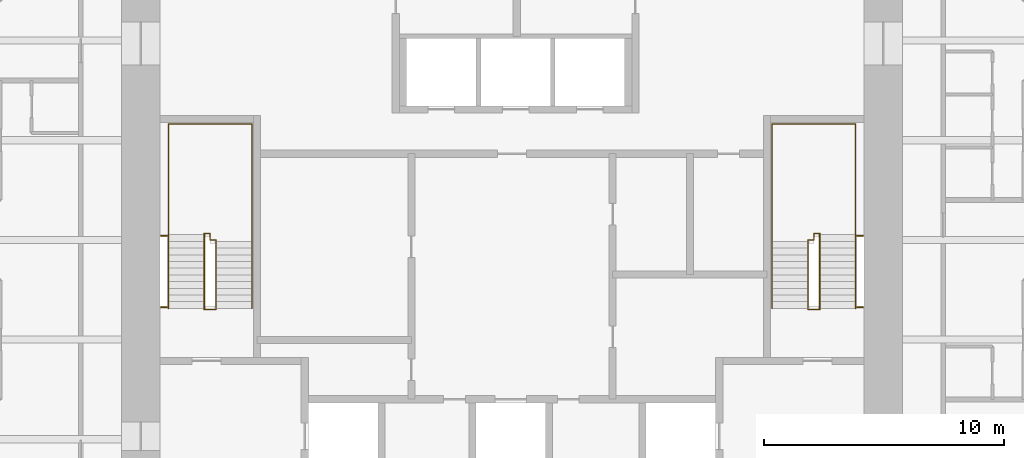
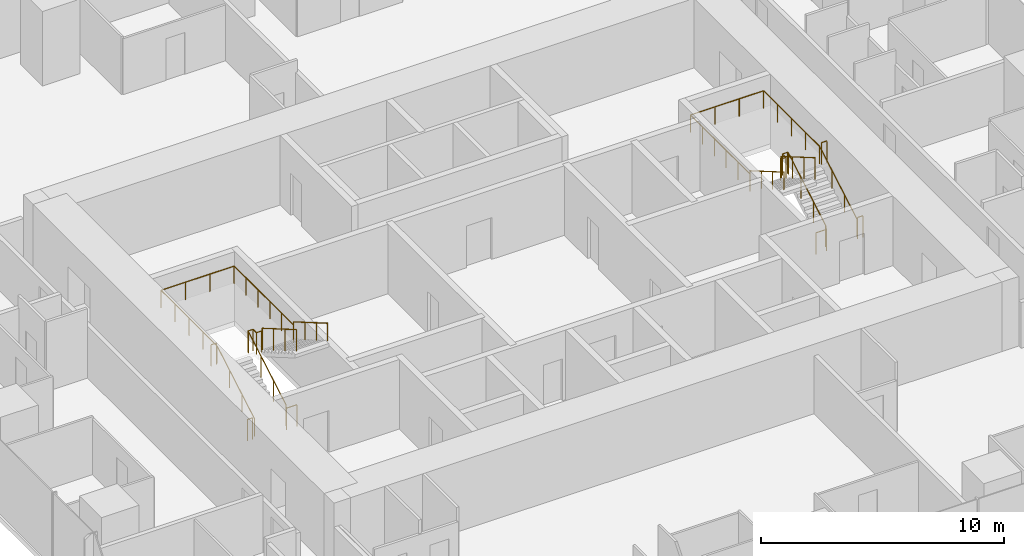
# One storey, part 12 of 12: 8 railings.
"""IFC4 building model written with IfcOpenShell, lengths in metres."""

from ifc_helpers import new_model, si_unit, direction, frame, origin, origin_2d, place, context, subcontext, project, spatial, circle, extrude, material, type_object, element, save


model = new_model("IFC4")

# Units and contexts
model_context = context("Model", 3, precision=1e-05, world=origin(), true_north=direction((0.0, 1.0)))
body_context = subcontext(model_context, "Body", "Model", "MODEL_VIEW")
ifc_project = project(units=[si_unit("LENGTHUNIT", "METRE"), si_unit("AREAUNIT", "SQUARE_METRE"), si_unit("VOLUMEUNIT", "CUBIC_METRE"), si_unit("PLANEANGLEUNIT", "RADIAN"), si_unit("MASSUNIT", "GRAM", prefix="KILO")], contexts=[model_context])

# Site, building, storey
site_placement = place(None, origin())
site = spatial("IfcSite", under=ifc_project, at=site_placement, CompositionType="ELEMENT")
building_placement = place(site_placement, origin())
building = spatial("IfcBuilding", under=site, at=building_placement, Name="Khuree Lantern Residences", CompositionType="ELEMENT")
storey_placement = place(building_placement, frame((0.0, 0.0, 229.5)))
storey = spatial("IfcBuildingStorey", under=building, at=storey_placement, Name="L57", CompositionType="ELEMENT", Elevation=229.5)

# Railings
ifc_material = material(Name="Steel S355", Category="steel")
railing_type_1 = type_object("IfcRailingType", Name="STAIR GUARD G1 1100", PredefinedType="GUARDRAIL", material=ifc_material)
railing_1_placement = place(storey_placement, frame((-12.35009765625, -2.909912109375, 0.0)))
element("IfcRailing", 1, at=railing_1_placement, inside=storey, type_object=railing_type_1, Name="Stair ST1 guard", PredefinedType="GUARDRAIL", context=body_context, shape_type="SweptSolid", body=[
    extrude(circle(Radius=0.02392578125, at=origin_2d()), frame((0.0, 0.0, 1.076171875), z_axis=(-1.0, 0.0, 0.0), x_axis=(0.0, -1.0, 0.0)), (0.0, 0.0, 1.0), 0.5),
    extrude(circle(Radius=0.02392578125, at=origin_2d()), frame((-0.5, 0.0, 1.076171875), z_axis=(0.0, 0.292073035251, 0.95639601739), x_axis=(-1.0, 0.0, 0.0)), (0.0, 0.0, 1.0), 0.17041015625),
    extrude(circle(Radius=0.02392578125, at=origin_2d()), frame((-0.5, 0.0498046875, 1.2392578125), z_axis=(0.0, 0.864176135923, 0.503189433615), x_axis=(-1.0, 0.0, 0.0)), (0.0, 0.0, 1.0), 3.564208984375),
    extrude(circle(Radius=0.02392578125, at=origin_2d()), frame((-0.5, 3.1298828125, 3.03271484375), z_axis=(0.0, 1.0, 0.0), x_axis=(-1.0, 0.0, 0.0)), (0.0, 0.0, 1.0), 0.050048828125),
    extrude(circle(Radius=0.02392578125, at=origin_2d()), frame((-0.5, 3.179931640625, 3.03271484375), z_axis=(1.0, 0.0, 0.0), x_axis=(0.0, 1.0, 0.0)), (0.0, 0.0, 1.0), 0.25),
    extrude(circle(Radius=0.02392578125, at=origin_2d()), frame((-0.25, 3.179931640625, 3.03271484375), z_axis=(0.0, -1.0, 0.0), x_axis=(1.0, 0.0, 0.0)), (0.0, 0.0, 1.0), 0.280029296875),
    extrude(circle(Radius=0.02392578125, at=origin_2d()), frame((-0.25, 2.89990234375, 3.03271484375), z_axis=(1.0, 0.0, 0.0), x_axis=(0.0, 1.0, 0.0)), (0.0, 0.0, 1.0), 0.25),
    extrude(circle(Radius=0.02392578125, at=origin_2d()), frame((0.0, 2.89990234375, 3.03271484375), z_axis=(0.0, -0.293381807449, 0.955995353053), x_axis=(1.0, 0.0, 0.0)), (0.0, 0.0, 1.0), 0.170654296875),
    extrude(circle(Radius=0.02392578125, at=origin_2d()), frame((0.0, 2.849853515625, 3.19580078125), z_axis=(0.0, -0.864180358799, 0.503182181189), x_axis=(1.0, 0.0, 0.0)), (0.0, 0.0, 1.0), 3.240234375),
    extrude(circle(Radius=0.02099609375, at=origin_2d()), origin(), (0.0, 0.0, 1.0), 1.052001953125),
    extrude(circle(Radius=0.02099609375, at=origin_2d()), frame((-0.5, 0.0, 0.0)), (0.0, 0.0, 1.0), 1.052001953125),
    extrude(circle(Radius=0.02099609375, at=origin_2d()), frame((-0.5, 0.0498046875, 0.1630859375)), (0.0, 0.0, 1.0), 1.052001953125),
    extrude(circle(Radius=0.02099609375, at=origin_2d()), frame((-0.5, 1.076416015625, 0.760986328125)), (0.0, 0.0, 1.0), 1.052001953125),
    extrude(circle(Radius=0.02099609375, at=origin_2d()), frame((-0.5, 2.103271484375, 1.358642578125)), (0.0, 0.0, 1.0), 1.052001953125),
    extrude(circle(Radius=0.02099609375, at=origin_2d()), frame((-0.5, 3.1298828125, 1.95654296875)), (0.0, 0.0, 1.0), 1.052001953125),
    extrude(circle(Radius=0.02099609375, at=origin_2d()), frame((-0.5, 3.179931640625, 1.95654296875)), (0.0, 0.0, 1.0), 1.052001953125),
    extrude(circle(Radius=0.02099609375, at=origin_2d()), frame((-0.25, 3.179931640625, 1.95654296875)), (0.0, 0.0, 1.0), 1.052001953125),
    extrude(circle(Radius=0.02099609375, at=origin_2d()), frame((-0.25, 2.89990234375, 1.95654296875)), (0.0, 0.0, 1.0), 1.052001953125),
    extrude(circle(Radius=0.02099609375, at=origin_2d()), frame((0.0, 2.89990234375, 1.95654296875)), (0.0, 0.0, 1.0), 1.052001953125),
    extrude(circle(Radius=0.02099609375, at=origin_2d()), frame((0.0, 2.849853515625, 2.11962890625)), (0.0, 0.0, 1.0), 1.052001953125),
    extrude(circle(Radius=0.02099609375, at=origin_2d()), frame((0.0, 1.91650390625, 2.6630859375)), (0.0, 0.0, 1.0), 1.052001953125),
    extrude(circle(Radius=0.02099609375, at=origin_2d()), frame((0.0, 0.983154296875, 3.20654296875)), (0.0, 0.0, 1.0), 1.052001953125),
    extrude(circle(Radius=0.02099609375, at=origin_2d()), frame((0.0, 0.0498046875, 3.75)), (0.0, 0.0, 1.0), 1.052001953125),
])
for number, where, name in (
    (2, (-14.64990234375, -2.81005859375, 0.0), "Stair ST1 landing slot guard"),
    (3, (-14.64990234375, 0.169921875, 1.95654296875), "Stair ST1 landing slot guard"),
):
    element("IfcRailing", number, at=place(storey_placement, frame(where)), inside=storey, type_object=railing_type_1, Name=name, PredefinedType="GUARDRAIL", context=body_context, shape_type="SweptSolid", body=[
        extrude(circle(Radius=0.02392578125, at=origin_2d()), frame((0.0, 0.0, 1.076171875), z_axis=(1.0, 0.0, 0.0), x_axis=(0.0, 1.0, 0.0)), (0.0, 0.0, 1.0), 0.25),
        extrude(circle(Radius=0.02099609375, at=origin_2d()), origin(), (0.0, 0.0, 1.0), 1.052001953125),
        extrude(circle(Radius=0.02099609375, at=origin_2d()), frame((0.25, 0.0, 0.0)), (0.0, 0.0, 1.0), 1.052001953125),
    ])
railing_2_placement = place(storey_placement, frame((12.35009765625, -2.909912109375, 0.0)))
element("IfcRailing", 4, at=railing_2_placement, inside=storey, type_object=railing_type_1, Name="Stair ST2 guard", PredefinedType="GUARDRAIL", context=body_context, shape_type="SweptSolid", body=[
    extrude(circle(Radius=0.02392578125, at=origin_2d()), frame((0.0, 0.0, 1.076171875), z_axis=(1.0, 0.0, 0.0), x_axis=(0.0, 1.0, 0.0)), (0.0, 0.0, 1.0), 0.5),
    extrude(circle(Radius=0.02392578125, at=origin_2d()), frame((0.5, 0.0, 1.076171875), z_axis=(0.0, 0.292073035251, 0.95639601739), x_axis=(-1.0, 0.0, 0.0)), (0.0, 0.0, 1.0), 0.17041015625),
    extrude(circle(Radius=0.02392578125, at=origin_2d()), frame((0.5, 0.0498046875, 1.2392578125), z_axis=(0.0, 0.864176135923, 0.503189433615), x_axis=(-1.0, 0.0, 0.0)), (0.0, 0.0, 1.0), 3.564208984375),
    extrude(circle(Radius=0.02392578125, at=origin_2d()), frame((0.5, 3.1298828125, 3.03271484375), z_axis=(0.0, 1.0, 0.0), x_axis=(-1.0, 0.0, 0.0)), (0.0, 0.0, 1.0), 0.050048828125),
    extrude(circle(Radius=0.02392578125, at=origin_2d()), frame((0.5, 3.179931640625, 3.03271484375), z_axis=(-1.0, 0.0, 0.0), x_axis=(0.0, -1.0, 0.0)), (0.0, 0.0, 1.0), 0.25),
    extrude(circle(Radius=0.02392578125, at=origin_2d()), frame((0.25, 3.179931640625, 3.03271484375), z_axis=(0.0, -1.0, 0.0), x_axis=(1.0, 0.0, 0.0)), (0.0, 0.0, 1.0), 0.280029296875),
    extrude(circle(Radius=0.02392578125, at=origin_2d()), frame((0.25, 2.89990234375, 3.03271484375), z_axis=(-1.0, 0.0, 0.0), x_axis=(0.0, -1.0, 0.0)), (0.0, 0.0, 1.0), 0.25),
    extrude(circle(Radius=0.02392578125, at=origin_2d()), frame((0.0, 2.89990234375, 3.03271484375), z_axis=(0.0, -0.293381807449, 0.955995353053), x_axis=(1.0, 0.0, 0.0)), (0.0, 0.0, 1.0), 0.170654296875),
    extrude(circle(Radius=0.02392578125, at=origin_2d()), frame((0.0, 2.849853515625, 3.19580078125), z_axis=(0.0, -0.864180358799, 0.503182181189), x_axis=(1.0, 0.0, 0.0)), (0.0, 0.0, 1.0), 3.240234375),
    extrude(circle(Radius=0.02099609375, at=origin_2d()), origin(), (0.0, 0.0, 1.0), 1.052001953125),
    extrude(circle(Radius=0.02099609375, at=origin_2d()), frame((0.5, 0.0, 0.0)), (0.0, 0.0, 1.0), 1.052001953125),
    extrude(circle(Radius=0.02099609375, at=origin_2d()), frame((0.5, 0.0498046875, 0.1630859375)), (0.0, 0.0, 1.0), 1.052001953125),
    extrude(circle(Radius=0.02099609375, at=origin_2d()), frame((0.5, 1.076416015625, 0.760986328125)), (0.0, 0.0, 1.0), 1.052001953125),
    extrude(circle(Radius=0.02099609375, at=origin_2d()), frame((0.5, 2.103271484375, 1.358642578125)), (0.0, 0.0, 1.0), 1.052001953125),
    extrude(circle(Radius=0.02099609375, at=origin_2d()), frame((0.5, 3.1298828125, 1.95654296875)), (0.0, 0.0, 1.0), 1.052001953125),
    extrude(circle(Radius=0.02099609375, at=origin_2d()), frame((0.5, 3.179931640625, 1.95654296875)), (0.0, 0.0, 1.0), 1.052001953125),
    extrude(circle(Radius=0.02099609375, at=origin_2d()), frame((0.25, 3.179931640625, 1.95654296875)), (0.0, 0.0, 1.0), 1.052001953125),
    extrude(circle(Radius=0.02099609375, at=origin_2d()), frame((0.25, 2.89990234375, 1.95654296875)), (0.0, 0.0, 1.0), 1.052001953125),
    extrude(circle(Radius=0.02099609375, at=origin_2d()), frame((0.0, 2.89990234375, 1.95654296875)), (0.0, 0.0, 1.0), 1.052001953125),
    extrude(circle(Radius=0.02099609375, at=origin_2d()), frame((0.0, 2.849853515625, 2.11962890625)), (0.0, 0.0, 1.0), 1.052001953125),
    extrude(circle(Radius=0.02099609375, at=origin_2d()), frame((0.0, 1.91650390625, 2.6630859375)), (0.0, 0.0, 1.0), 1.052001953125),
    extrude(circle(Radius=0.02099609375, at=origin_2d()), frame((0.0, 0.983154296875, 3.20654296875)), (0.0, 0.0, 1.0), 1.052001953125),
    extrude(circle(Radius=0.02099609375, at=origin_2d()), frame((0.0, 0.0498046875, 3.75)), (0.0, 0.0, 1.0), 1.052001953125),
])
for number, where, name in (
    (5, (14.64990234375, -2.81005859375, 0.0), "Stair ST2 landing slot guard"),
    (6, (14.64990234375, 0.169921875, 1.95654296875), "Stair ST2 landing slot guard"),
):
    element("IfcRailing", number, at=place(storey_placement, frame(where)), inside=storey, type_object=railing_type_1, Name=name, PredefinedType="GUARDRAIL", context=body_context, shape_type="SweptSolid", body=[
        extrude(circle(Radius=0.02392578125, at=origin_2d()), frame((0.0, 0.0, 1.076171875), z_axis=(-1.0, 0.0, 0.0), x_axis=(0.0, -1.0, 0.0)), (0.0, 0.0, 1.0), 0.25),
        extrude(circle(Radius=0.02099609375, at=origin_2d()), origin(), (0.0, 0.0, 1.0), 1.052001953125),
        extrude(circle(Radius=0.02099609375, at=origin_2d()), frame((-0.25, 0.0, 0.0)), (0.0, 0.0, 1.0), 1.052001953125),
    ])
railing_type_2 = type_object("IfcRailingType", Name="STAIR HANDRAIL H1 900", PredefinedType="HANDRAIL", material=ifc_material)
railing_3_placement = place(storey_placement, frame((-14.340087890625, -2.860107421875, 0.1630859375)))
element("IfcRailing", 7, at=railing_3_placement, inside=storey, type_object=railing_type_2, Name="Stair ST1 handrail", PredefinedType="HANDRAIL", context=body_context, shape_type="SweptSolid", body=[
    extrude(circle(Radius=0.02392578125, at=origin_2d()), frame((0.0, 0.0, 0.8759765625), z_axis=(0.0, 0.864176135923, 0.503189433615), x_axis=(-1.0, 0.0, 0.0)), (0.0, 0.0, 1.0), 3.564208984375),
    extrude(circle(Radius=0.02392578125, at=origin_2d()), frame((0.0, 3.080078125, 2.66943359375), z_axis=(0.0, 1.0, 0.0), x_axis=(-1.0, 0.0, 0.0)), (0.0, 0.0, 1.0), 4.6201171875),
    extrude(circle(Radius=0.02392578125, at=origin_2d()), frame((0.0, 7.7001953125, 2.66943359375), z_axis=(1.0, 0.0, 0.0), x_axis=(0.0, 1.0, 0.0)), (0.0, 0.0, 1.0), 3.47998046875),
    extrude(circle(Radius=0.02392578125, at=origin_2d()), frame((3.47998046875, 7.7001953125, 2.66943359375), z_axis=(0.0, -1.0, 0.0), x_axis=(1.0, 0.0, 0.0)), (0.0, 0.0, 1.0), 4.900146484375),
    extrude(circle(Radius=0.02392578125, at=origin_2d()), frame((3.47998046875, 2.800048828125, 2.66943359375), z_axis=(0.0, 0.0, 1.0), x_axis=(1.0, 0.0, 0.0)), (0.0, 0.0, 1.0), 0.1630859375),
    extrude(circle(Radius=0.02392578125, at=origin_2d()), frame((3.47998046875, 2.800048828125, 2.83251953125), z_axis=(0.0, -0.864180358799, 0.503182181189), x_axis=(1.0, 0.0, 0.0)), (0.0, 0.0, 1.0), 3.240234375),
    extrude(circle(Radius=0.02099609375, at=origin_2d()), origin(), (0.0, 0.0, 1.0), 0.851806640625),
    extrude(circle(Radius=0.02099609375, at=origin_2d()), frame((0.0, 1.026611328125, 0.597900390625)), (0.0, 0.0, 1.0), 0.851806640625),
    extrude(circle(Radius=0.02099609375, at=origin_2d()), frame((0.0, 2.053466796875, 1.195556640625)), (0.0, 0.0, 1.0), 0.851806640625),
    extrude(circle(Radius=0.02099609375, at=origin_2d()), frame((0.0, 3.080078125, 1.79345703125)), (0.0, 0.0, 1.0), 0.851806640625),
    extrude(circle(Radius=0.02099609375, at=origin_2d()), frame((0.0, 4.235107421875, 1.79345703125)), (0.0, 0.0, 1.0), 0.851806640625),
    extrude(circle(Radius=0.02099609375, at=origin_2d()), frame((0.0, 5.39013671875, 1.79345703125)), (0.0, 0.0, 1.0), 0.851806640625),
    extrude(circle(Radius=0.02099609375, at=origin_2d()), frame((0.0, 6.545166015625, 1.79345703125)), (0.0, 0.0, 1.0), 0.851806640625),
    extrude(circle(Radius=0.02099609375, at=origin_2d()), frame((0.0, 7.7001953125, 1.79345703125)), (0.0, 0.0, 1.0), 0.851806640625),
    extrude(circle(Radius=0.02099609375, at=origin_2d()), frame((1.159912109375, 7.7001953125, 1.79345703125)), (0.0, 0.0, 1.0), 0.851806640625),
    extrude(circle(Radius=0.02099609375, at=origin_2d()), frame((2.320068359375, 7.7001953125, 1.79345703125)), (0.0, 0.0, 1.0), 0.851806640625),
    extrude(circle(Radius=0.02099609375, at=origin_2d()), frame((3.47998046875, 7.7001953125, 1.79345703125)), (0.0, 0.0, 1.0), 0.851806640625),
    extrude(circle(Radius=0.02099609375, at=origin_2d()), frame((3.47998046875, 6.72021484375, 1.79345703125)), (0.0, 0.0, 1.0), 0.851806640625),
    extrude(circle(Radius=0.02099609375, at=origin_2d()), frame((3.47998046875, 5.740234375, 1.79345703125)), (0.0, 0.0, 1.0), 0.851806640625),
    extrude(circle(Radius=0.02099609375, at=origin_2d()), frame((3.47998046875, 4.760009765625, 1.79345703125)), (0.0, 0.0, 1.0), 0.851806640625),
    extrude(circle(Radius=0.02099609375, at=origin_2d()), frame((3.47998046875, 3.780029296875, 1.79345703125)), (0.0, 0.0, 1.0), 0.851806640625),
    extrude(circle(Radius=0.02099609375, at=origin_2d()), frame((3.47998046875, 2.800048828125, 1.79345703125)), (0.0, 0.0, 1.0), 0.851806640625),
    extrude(circle(Radius=0.02099609375, at=origin_2d()), frame((3.47998046875, 2.800048828125, 1.95654296875)), (0.0, 0.0, 1.0), 0.851806640625),
    extrude(circle(Radius=0.02099609375, at=origin_2d()), frame((3.47998046875, 1.86669921875, 2.5)), (0.0, 0.0, 1.0), 0.851806640625),
    extrude(circle(Radius=0.02099609375, at=origin_2d()), frame((3.47998046875, 0.933349609375, 3.04345703125)), (0.0, 0.0, 1.0), 0.851806640625),
    extrude(circle(Radius=0.02099609375, at=origin_2d()), frame((3.47998046875, 0.0, 3.5869140625)), (0.0, 0.0, 1.0), 0.851806640625),
])
railing_4_placement = place(storey_placement, frame((14.340087890625, -2.860107421875, 0.1630859375)))
element("IfcRailing", 8, at=railing_4_placement, inside=storey, type_object=railing_type_2, Name="Stair ST2 handrail", PredefinedType="HANDRAIL", context=body_context, shape_type="SweptSolid", body=[
    extrude(circle(Radius=0.02392578125, at=origin_2d()), frame((0.0, 0.0, 0.8759765625), z_axis=(0.0, 0.864176135923, 0.503189433615), x_axis=(-1.0, 0.0, 0.0)), (0.0, 0.0, 1.0), 3.564208984375),
    extrude(circle(Radius=0.02392578125, at=origin_2d()), frame((0.0, 3.080078125, 2.66943359375), z_axis=(0.0, 1.0, 0.0), x_axis=(-1.0, 0.0, 0.0)), (0.0, 0.0, 1.0), 4.6201171875),
    extrude(circle(Radius=0.02392578125, at=origin_2d()), frame((0.0, 7.7001953125, 2.66943359375), z_axis=(-1.0, 0.0, 0.0), x_axis=(0.0, -1.0, 0.0)), (0.0, 0.0, 1.0), 3.47998046875),
    extrude(circle(Radius=0.02392578125, at=origin_2d()), frame((-3.47998046875, 7.7001953125, 2.66943359375), z_axis=(0.0, -1.0, 0.0), x_axis=(1.0, 0.0, 0.0)), (0.0, 0.0, 1.0), 4.900146484375),
    extrude(circle(Radius=0.02392578125, at=origin_2d()), frame((-3.47998046875, 2.800048828125, 2.66943359375), z_axis=(0.0, 0.0, 1.0), x_axis=(1.0, 0.0, 0.0)), (0.0, 0.0, 1.0), 0.1630859375),
    extrude(circle(Radius=0.02392578125, at=origin_2d()), frame((-3.47998046875, 2.800048828125, 2.83251953125), z_axis=(0.0, -0.864180358799, 0.503182181189), x_axis=(1.0, 0.0, 0.0)), (0.0, 0.0, 1.0), 3.240234375),
    extrude(circle(Radius=0.02099609375, at=origin_2d()), origin(), (0.0, 0.0, 1.0), 0.851806640625),
    extrude(circle(Radius=0.02099609375, at=origin_2d()), frame((0.0, 1.026611328125, 0.597900390625)), (0.0, 0.0, 1.0), 0.851806640625),
    extrude(circle(Radius=0.02099609375, at=origin_2d()), frame((0.0, 2.053466796875, 1.195556640625)), (0.0, 0.0, 1.0), 0.851806640625),
    extrude(circle(Radius=0.02099609375, at=origin_2d()), frame((0.0, 3.080078125, 1.79345703125)), (0.0, 0.0, 1.0), 0.851806640625),
    extrude(circle(Radius=0.02099609375, at=origin_2d()), frame((0.0, 4.235107421875, 1.79345703125)), (0.0, 0.0, 1.0), 0.851806640625),
    extrude(circle(Radius=0.02099609375, at=origin_2d()), frame((0.0, 5.39013671875, 1.79345703125)), (0.0, 0.0, 1.0), 0.851806640625),
    extrude(circle(Radius=0.02099609375, at=origin_2d()), frame((0.0, 6.545166015625, 1.79345703125)), (0.0, 0.0, 1.0), 0.851806640625),
    extrude(circle(Radius=0.02099609375, at=origin_2d()), frame((0.0, 7.7001953125, 1.79345703125)), (0.0, 0.0, 1.0), 0.851806640625),
    extrude(circle(Radius=0.02099609375, at=origin_2d()), frame((-1.159912109375, 7.7001953125, 1.79345703125)), (0.0, 0.0, 1.0), 0.851806640625),
    extrude(circle(Radius=0.02099609375, at=origin_2d()), frame((-2.320068359375, 7.7001953125, 1.79345703125)), (0.0, 0.0, 1.0), 0.851806640625),
    extrude(circle(Radius=0.02099609375, at=origin_2d()), frame((-3.47998046875, 7.7001953125, 1.79345703125)), (0.0, 0.0, 1.0), 0.851806640625),
    extrude(circle(Radius=0.02099609375, at=origin_2d()), frame((-3.47998046875, 6.72021484375, 1.79345703125)), (0.0, 0.0, 1.0), 0.851806640625),
    extrude(circle(Radius=0.02099609375, at=origin_2d()), frame((-3.47998046875, 5.740234375, 1.79345703125)), (0.0, 0.0, 1.0), 0.851806640625),
    extrude(circle(Radius=0.02099609375, at=origin_2d()), frame((-3.47998046875, 4.760009765625, 1.79345703125)), (0.0, 0.0, 1.0), 0.851806640625),
    extrude(circle(Radius=0.02099609375, at=origin_2d()), frame((-3.47998046875, 3.780029296875, 1.79345703125)), (0.0, 0.0, 1.0), 0.851806640625),
    extrude(circle(Radius=0.02099609375, at=origin_2d()), frame((-3.47998046875, 2.800048828125, 1.79345703125)), (0.0, 0.0, 1.0), 0.851806640625),
    extrude(circle(Radius=0.02099609375, at=origin_2d()), frame((-3.47998046875, 2.800048828125, 1.95654296875)), (0.0, 0.0, 1.0), 0.851806640625),
    extrude(circle(Radius=0.02099609375, at=origin_2d()), frame((-3.47998046875, 1.86669921875, 2.5)), (0.0, 0.0, 1.0), 0.851806640625),
    extrude(circle(Radius=0.02099609375, at=origin_2d()), frame((-3.47998046875, 0.933349609375, 3.04345703125)), (0.0, 0.0, 1.0), 0.851806640625),
    extrude(circle(Radius=0.02099609375, at=origin_2d()), frame((-3.47998046875, 0.0, 3.5869140625)), (0.0, 0.0, 1.0), 0.851806640625),
])

save(model, "model.ifc")
